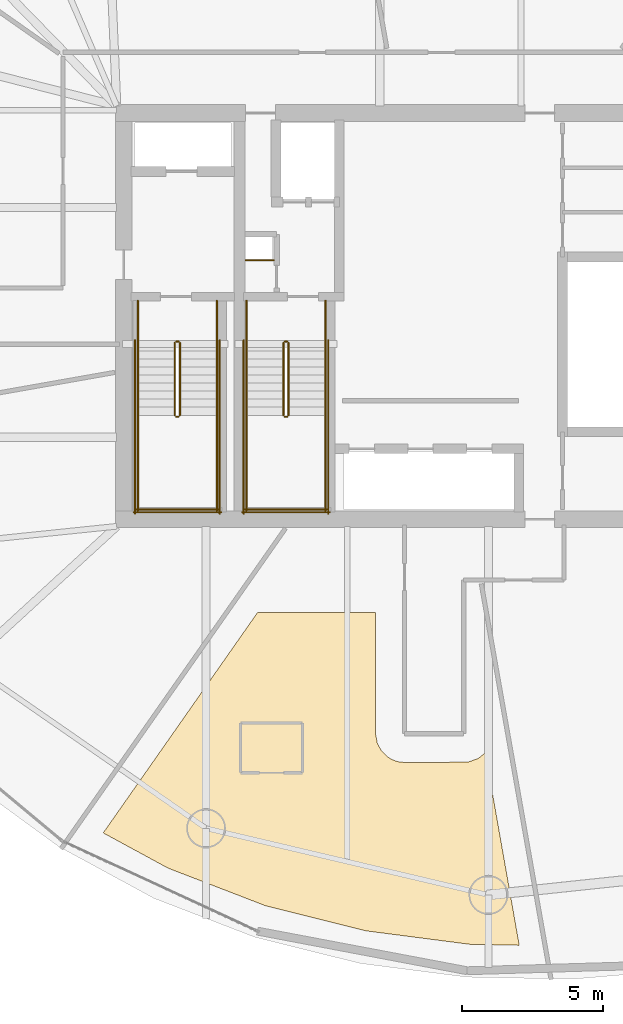
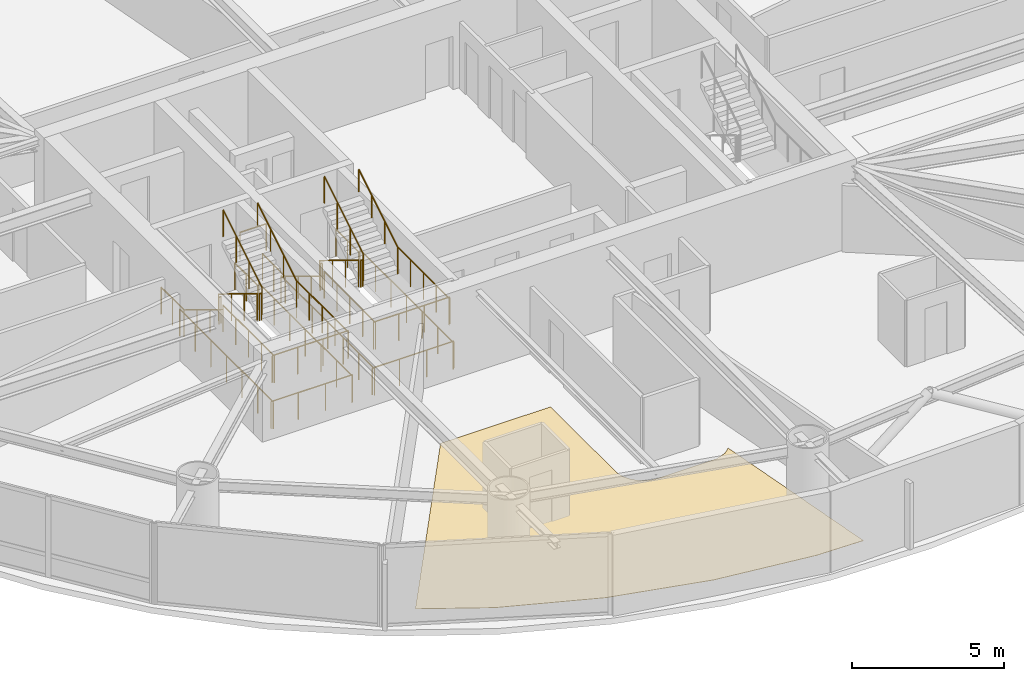
# One storey, part 21 of 23: 29 railings, 1 covering.
"""IFC4 building model written with IfcOpenShell, lengths in metres."""

from ifc_helpers import new_model, si_unit, direction, frame, origin, origin_2d, place, context, subcontext, project, spatial, polyline, circle, outline, extrude, material, layer, layer_set, type_object, element, save


model = new_model("IFC4")

# Units and contexts
model_context = context("Model", 3, precision=1e-05, world=origin(), true_north=direction((0.0, 1.0)))
body_context = subcontext(model_context, "Body", "Model", "MODEL_VIEW")
ifc_project = project(units=[si_unit("LENGTHUNIT", "METRE"), si_unit("AREAUNIT", "SQUARE_METRE"), si_unit("VOLUMEUNIT", "CUBIC_METRE"), si_unit("PLANEANGLEUNIT", "RADIAN"), si_unit("MASSUNIT", "GRAM", prefix="KILO")], contexts=[model_context])

# Site, building, storey
site_placement = place(None, origin())
site = spatial("IfcSite", under=ifc_project, at=site_placement, CompositionType="ELEMENT")
building_placement = place(site_placement, origin())
building = spatial("IfcBuilding", under=site, at=building_placement, Name="Bramvorn Convention Spire", CompositionType="ELEMENT")
storey_placement = place(building_placement, frame((0.0, 0.0, 158.800048828125)))
storey = spatial("IfcBuildingStorey", under=building, at=storey_placement, Name="L40", CompositionType="ELEMENT", Elevation=158.800048828125)

# Covering
ifc_material_1 = material(Name="Solution-Dyed Wool Broadloom Hospitality Carpet", Category="textile")
ifc_layer = layer(ifc_material_1, 0.014892578125)
ifc_layer_set = layer_set([ifc_layer], Name="Solution-Dyed Wool Broadloom Hospitality Carpet - FLR-CARPET-15")
covering_type = type_object("IfcCoveringType", Name="FLR-CARPET-15", PredefinedType="FLOORING", material=ifc_layer_set)
covering_placement = place(storey_placement, origin())
element("IfcCovering", 1, at=covering_placement, inside=storey, type_object=covering_type, Name="Hotel Suite 4006 wool broadloom carpet", PredefinedType="FLOORING", context=body_context, shape_type="SweptSolid", body=[
    extrude(outline(polyline([(39.24267578125, 3.73681640625), (41.018310546875, 3.69970703125), (39.814697265625, 10.525634765625), (39.5693359375, 10.322265625), (39.19384765625, 10.190185546875), (36.949951171875, 10.179931640625), (36.7080078125, 10.209228515625), (36.508544921875, 10.280517578125), (36.337646484375, 10.384521484375), (36.134521484375, 10.587646484375), (35.98779296875, 10.862060546875), (35.93115234375, 11.15576171875), (35.929931640625, 15.5), (31.74658203125, 15.5), (26.272216796875, 7.681884765625), (28.571044921875, 6.432861328125), (32.0205078125, 5.102294921875), (35.604248046875, 4.208251953125), (39.24267578125, 3.73681640625)])), origin(), (0.0, 0.0, 1.0), 0.014892578125),
])

# Railings
ifc_material_2 = material(Name="Painted Steel Balustrade & Guardrail", Category="steel")
railing_type_1 = type_object("IfcRailingType", Name="RL-STAIR-GUARD-1100", PredefinedType="GUARDRAIL", material=ifc_material_2)
railing_1_placement = place(storey_placement, frame((28.81005859375, 25.050048828125, 0.175048828125)))
element("IfcRailing", 2, at=railing_1_placement, inside=storey, type_object=railing_type_1, Name="L40 ST1 stair guard 1", PredefinedType="GUARDRAIL", context=body_context, shape_type="SweptSolid", body=[
    extrude(circle(Radius=0.02392578125, at=origin_2d()), frame((0.0, 0.0, 1.076171875), z_axis=(0.0, -0.852173129349, 0.523259933127), x_axis=(1.0, 0.0, 0.0)), (0.0, 0.0, 1.0), 3.009765625),
    extrude(circle(Radius=0.02099609375, at=origin_2d()), origin(), (0.0, 0.0, 1.0), 1.052001953125),
    extrude(circle(Radius=0.02099609375, at=origin_2d()), frame((0.0, -0.85498046875, 0.52490234375)), (0.0, 0.0, 1.0), 1.052001953125),
    extrude(circle(Radius=0.02099609375, at=origin_2d()), frame((0.0, -1.7099609375, 1.050048828125)), (0.0, 0.0, 1.0), 1.052001953125),
    extrude(circle(Radius=0.02099609375, at=origin_2d()), frame((0.0, -2.56494140625, 1.574951171875)), (0.0, 0.0, 1.0), 1.052001953125),
])
railing_2_placement = place(storey_placement, frame((28.860107421875, 22.43505859375, 1.75)))
element("IfcRailing", 3, at=railing_2_placement, inside=storey, type_object=railing_type_1, Name="L40 ST1 stair guard 2", PredefinedType="GUARDRAIL", context=body_context, shape_type="SweptSolid", body=[
    extrude(circle(Radius=0.02392578125, at=origin_2d()), frame((0.0, 0.0, 1.076171875), z_axis=(1.0, 0.0, 0.0), x_axis=(0.0, 1.0, 0.0)), (0.0, 0.0, 1.0), 0.079833984375),
    extrude(circle(Radius=0.02099609375, at=origin_2d()), origin(), (0.0, 0.0, 1.0), 1.052001953125),
    extrude(circle(Radius=0.02099609375, at=origin_2d()), frame((0.079833984375, 0.0, 0.0)), (0.0, 0.0, 1.0), 1.052001953125),
])
for number, where, name in (
    (4, (27.5, 22.485107421875, 1.75), "L40 ST1 stair guard 3"),
    (5, (30.300048828125, 22.485107421875, 1.75), "L40 ST1 stair guard 4"),
):
    element("IfcRailing", number, at=place(storey_placement, frame(where)), inside=storey, type_object=railing_type_1, Name=name, PredefinedType="GUARDRAIL", context=body_context, shape_type="SweptSolid", body=[
        extrude(circle(Radius=0.02392578125, at=origin_2d()), frame((0.0, 0.0, 1.076171875), z_axis=(0.0, -1.0, 0.0), x_axis=(1.0, 0.0, 0.0)), (0.0, 0.0, 1.0), 3.385009765625),
        extrude(circle(Radius=0.02099609375, at=origin_2d()), origin(), (0.0, 0.0, 1.0), 1.052001953125),
        extrude(circle(Radius=0.02099609375, at=origin_2d()), frame((0.0, -0.84619140625, 0.0)), (0.0, 0.0, 1.0), 1.052001953125),
        extrude(circle(Radius=0.02099609375, at=origin_2d()), frame((0.0, -1.6923828125, 0.0)), (0.0, 0.0, 1.0), 1.052001953125),
        extrude(circle(Radius=0.02099609375, at=origin_2d()), frame((0.0, -2.538818359375, 0.0)), (0.0, 0.0, 1.0), 1.052001953125),
        extrude(circle(Radius=0.02099609375, at=origin_2d()), frame((0.0, -3.385009765625, 0.0)), (0.0, 0.0, 1.0), 1.052001953125),
    ])
railing_3_placement = place(storey_placement, frame((27.449951171875, 19.14990234375, 1.75)))
element("IfcRailing", 6, at=railing_3_placement, inside=storey, type_object=railing_type_1, Name="L40 ST1 stair guard 5", PredefinedType="GUARDRAIL", context=body_context, shape_type="SweptSolid", body=[
    extrude(circle(Radius=0.02392578125, at=origin_2d()), frame((0.0, 0.0, 1.076171875), z_axis=(1.0, 0.0, 0.0), x_axis=(0.0, 1.0, 0.0)), (0.0, 0.0, 1.0), 2.900146484375),
    extrude(circle(Radius=0.02099609375, at=origin_2d()), origin(), (0.0, 0.0, 1.0), 1.052001953125),
    extrude(circle(Radius=0.02099609375, at=origin_2d()), frame((0.966796875, 0.0, 0.0)), (0.0, 0.0, 1.0), 1.052001953125),
    extrude(circle(Radius=0.02099609375, at=origin_2d()), frame((1.933349609375, 0.0, 0.0)), (0.0, 0.0, 1.0), 1.052001953125),
    extrude(circle(Radius=0.02099609375, at=origin_2d()), frame((2.900146484375, 0.0, 0.0)), (0.0, 0.0, 1.0), 1.052001953125),
])
railing_4_placement = place(storey_placement, frame((28.989990234375, 22.485107421875, 1.925048828125)))
element("IfcRailing", 7, at=railing_4_placement, inside=storey, type_object=railing_type_1, Name="L40 ST1 stair guard 6", PredefinedType="GUARDRAIL", context=body_context, shape_type="SweptSolid", body=[
    extrude(circle(Radius=0.02392578125, at=origin_2d()), frame((0.0, 0.0, 1.076171875), z_axis=(0.0, 0.852173129349, 0.523259933127), x_axis=(-1.0, 0.0, 0.0)), (0.0, 0.0, 1.0), 3.009765625),
    extrude(circle(Radius=0.02099609375, at=origin_2d()), origin(), (0.0, 0.0, 1.0), 1.052001953125),
    extrude(circle(Radius=0.02099609375, at=origin_2d()), frame((0.0, 0.85498046875, 0.52490234375)), (0.0, 0.0, 1.0), 1.052001953125),
    extrude(circle(Radius=0.02099609375, at=origin_2d()), frame((0.0, 1.7099609375, 1.050048828125)), (0.0, 0.0, 1.0), 1.052001953125),
    extrude(circle(Radius=0.02099609375, at=origin_2d()), frame((0.0, 2.56494140625, 1.574951171875)), (0.0, 0.0, 1.0), 1.052001953125),
])
railing_5_placement = place(storey_placement, frame((28.860107421875, 25.10009765625, 0.0)))
element("IfcRailing", 8, at=railing_5_placement, inside=storey, type_object=railing_type_1, Name="L40 ST1 stair guard 7", PredefinedType="GUARDRAIL", context=body_context, shape_type="SweptSolid", body=[
    extrude(circle(Radius=0.02392578125, at=origin_2d()), frame((0.0, 0.0, 1.076171875), z_axis=(1.0, 0.0, 0.0), x_axis=(0.0, 1.0, 0.0)), (0.0, 0.0, 1.0), 0.079833984375),
    extrude(circle(Radius=0.02099609375, at=origin_2d()), origin(), (0.0, 0.0, 1.0), 1.052001953125),
    extrude(circle(Radius=0.02099609375, at=origin_2d()), frame((0.079833984375, 0.0, 0.0)), (0.0, 0.0, 1.0), 1.052001953125),
])
for number, where, name in (
    (9, (27.5, 26.550048828125, 0.0), "L40 ST1 stair guard 8"),
    (10, (30.300048828125, 26.550048828125, 0.0), "L40 ST1 stair guard 9"),
):
    element("IfcRailing", number, at=place(storey_placement, frame(where)), inside=storey, type_object=railing_type_1, Name=name, PredefinedType="GUARDRAIL", context=body_context, shape_type="SweptSolid", body=[
        extrude(circle(Radius=0.02392578125, at=origin_2d()), frame((0.0, 0.0, 1.076171875), z_axis=(0.0, -1.0, 0.0), x_axis=(1.0, 0.0, 0.0)), (0.0, 0.0, 1.0), 1.5),
        extrude(circle(Radius=0.02099609375, at=origin_2d()), origin(), (0.0, 0.0, 1.0), 1.052001953125),
        extrude(circle(Radius=0.02099609375, at=origin_2d()), frame((0.0, -0.75, 0.0)), (0.0, 0.0, 1.0), 1.052001953125),
        extrude(circle(Radius=0.02099609375, at=origin_2d()), frame((0.0, -1.5, 0.0)), (0.0, 0.0, 1.0), 1.052001953125),
    ])
for number, where, name in (
    (11, (27.39990234375, 25.14990234375, 0.0), "L40 ST1 stair guard 10"),
    (12, (30.39990234375, 25.14990234375, 0.0), "L40 ST1 stair guard 11"),
):
    element("IfcRailing", number, at=place(storey_placement, frame(where)), inside=storey, type_object=railing_type_1, Name=name, PredefinedType="GUARDRAIL", context=body_context, shape_type="SweptSolid", body=[
        extrude(circle(Radius=0.02392578125, at=origin_2d()), frame((0.0, 0.0, 1.076171875), z_axis=(0.0, -1.0, 0.0), x_axis=(1.0, 0.0, 0.0)), (0.0, 0.0, 1.0), 6.14990234375),
        extrude(circle(Radius=0.02099609375, at=origin_2d()), origin(), (0.0, 0.0, 1.0), 1.052001953125),
        extrude(circle(Radius=0.02099609375, at=origin_2d()), frame((0.0, -1.02490234375, 0.0)), (0.0, 0.0, 1.0), 1.052001953125),
        extrude(circle(Radius=0.02099609375, at=origin_2d()), frame((0.0, -2.050048828125, 0.0)), (0.0, 0.0, 1.0), 1.052001953125),
        extrude(circle(Radius=0.02099609375, at=origin_2d()), frame((0.0, -3.074951171875, 0.0)), (0.0, 0.0, 1.0), 1.052001953125),
        extrude(circle(Radius=0.02099609375, at=origin_2d()), frame((0.0, -4.099853515625, 0.0)), (0.0, 0.0, 1.0), 1.052001953125),
        extrude(circle(Radius=0.02099609375, at=origin_2d()), frame((0.0, -5.125, 0.0)), (0.0, 0.0, 1.0), 1.052001953125),
        extrude(circle(Radius=0.02099609375, at=origin_2d()), frame((0.0, -6.14990234375, 0.0)), (0.0, 0.0, 1.0), 1.052001953125),
    ])
railing_6_placement = place(storey_placement, frame((27.35009765625, 19.050048828125, 0.0)))
element("IfcRailing", 13, at=railing_6_placement, inside=storey, type_object=railing_type_1, Name="L40 ST1 stair guard 12", PredefinedType="GUARDRAIL", context=body_context, shape_type="SweptSolid", body=[
    extrude(circle(Radius=0.02392578125, at=origin_2d()), frame((0.0, 0.0, 1.076171875), z_axis=(1.0, 0.0, 0.0), x_axis=(0.0, 1.0, 0.0)), (0.0, 0.0, 1.0), 3.099853515625),
    extrude(circle(Radius=0.02099609375, at=origin_2d()), origin(), (0.0, 0.0, 1.0), 1.052001953125),
    extrude(circle(Radius=0.02099609375, at=origin_2d()), frame((1.033203125, 0.0, 0.0)), (0.0, 0.0, 1.0), 1.052001953125),
    extrude(circle(Radius=0.02099609375, at=origin_2d()), frame((2.066650390625, 0.0, 0.0)), (0.0, 0.0, 1.0), 1.052001953125),
    extrude(circle(Radius=0.02099609375, at=origin_2d()), frame((3.099853515625, 0.0, 0.0)), (0.0, 0.0, 1.0), 1.052001953125),
])
railing_7_placement = place(storey_placement, frame((32.659912109375, 25.050048828125, 0.175048828125)))
element("IfcRailing", 14, at=railing_7_placement, inside=storey, type_object=railing_type_1, Name="L40 ST3 stair guard 1", PredefinedType="GUARDRAIL", context=body_context, shape_type="SweptSolid", body=[
    extrude(circle(Radius=0.02392578125, at=origin_2d()), frame((0.0, 0.0, 1.076171875), z_axis=(0.0, -0.852173129349, 0.523259933127), x_axis=(1.0, 0.0, 0.0)), (0.0, 0.0, 1.0), 3.009765625),
    extrude(circle(Radius=0.02099609375, at=origin_2d()), origin(), (0.0, 0.0, 1.0), 1.052001953125),
    extrude(circle(Radius=0.02099609375, at=origin_2d()), frame((0.0, -0.85498046875, 0.52490234375)), (0.0, 0.0, 1.0), 1.052001953125),
    extrude(circle(Radius=0.02099609375, at=origin_2d()), frame((0.0, -1.7099609375, 1.050048828125)), (0.0, 0.0, 1.0), 1.052001953125),
    extrude(circle(Radius=0.02099609375, at=origin_2d()), frame((0.0, -2.56494140625, 1.574951171875)), (0.0, 0.0, 1.0), 1.052001953125),
])
railing_8_placement = place(storey_placement, frame((32.7099609375, 22.43505859375, 1.75)))
element("IfcRailing", 15, at=railing_8_placement, inside=storey, type_object=railing_type_1, Name="L40 ST3 stair guard 2", PredefinedType="GUARDRAIL", context=body_context, shape_type="SweptSolid", body=[
    extrude(circle(Radius=0.02392578125, at=origin_2d()), frame((0.0, 0.0, 1.076171875), z_axis=(1.0, 0.0, 0.0), x_axis=(0.0, 1.0, 0.0)), (0.0, 0.0, 1.0), 0.080078125),
    extrude(circle(Radius=0.02099609375, at=origin_2d()), origin(), (0.0, 0.0, 1.0), 1.052001953125),
    extrude(circle(Radius=0.02099609375, at=origin_2d()), frame((0.080078125, 0.0, 0.0)), (0.0, 0.0, 1.0), 1.052001953125),
])
for number, where, name in (
    (16, (31.35009765625, 22.485107421875, 1.75), "L40 ST3 stair guard 3"),
    (17, (34.14990234375, 22.485107421875, 1.75), "L40 ST3 stair guard 4"),
):
    element("IfcRailing", number, at=place(storey_placement, frame(where)), inside=storey, type_object=railing_type_1, Name=name, PredefinedType="GUARDRAIL", context=body_context, shape_type="SweptSolid", body=[
        extrude(circle(Radius=0.02392578125, at=origin_2d()), frame((0.0, 0.0, 1.076171875), z_axis=(0.0, -1.0, 0.0), x_axis=(1.0, 0.0, 0.0)), (0.0, 0.0, 1.0), 3.385009765625),
        extrude(circle(Radius=0.02099609375, at=origin_2d()), origin(), (0.0, 0.0, 1.0), 1.052001953125),
        extrude(circle(Radius=0.02099609375, at=origin_2d()), frame((0.0, -0.84619140625, 0.0)), (0.0, 0.0, 1.0), 1.052001953125),
        extrude(circle(Radius=0.02099609375, at=origin_2d()), frame((0.0, -1.6923828125, 0.0)), (0.0, 0.0, 1.0), 1.052001953125),
        extrude(circle(Radius=0.02099609375, at=origin_2d()), frame((0.0, -2.538818359375, 0.0)), (0.0, 0.0, 1.0), 1.052001953125),
        extrude(circle(Radius=0.02099609375, at=origin_2d()), frame((0.0, -3.385009765625, 0.0)), (0.0, 0.0, 1.0), 1.052001953125),
    ])
railing_9_placement = place(storey_placement, frame((31.300048828125, 19.14990234375, 1.75)))
element("IfcRailing", 18, at=railing_9_placement, inside=storey, type_object=railing_type_1, Name="L40 ST3 stair guard 5", PredefinedType="GUARDRAIL", context=body_context, shape_type="SweptSolid", body=[
    extrude(circle(Radius=0.02392578125, at=origin_2d()), frame((0.0, 0.0, 1.076171875), z_axis=(1.0, 0.0, 0.0), x_axis=(0.0, 1.0, 0.0)), (0.0, 0.0, 1.0), 2.89990234375),
    extrude(circle(Radius=0.02099609375, at=origin_2d()), origin(), (0.0, 0.0, 1.0), 1.052001953125),
    extrude(circle(Radius=0.02099609375, at=origin_2d()), frame((0.966552734375, 0.0, 0.0)), (0.0, 0.0, 1.0), 1.052001953125),
    extrude(circle(Radius=0.02099609375, at=origin_2d()), frame((1.933349609375, 0.0, 0.0)), (0.0, 0.0, 1.0), 1.052001953125),
    extrude(circle(Radius=0.02099609375, at=origin_2d()), frame((2.89990234375, 0.0, 0.0)), (0.0, 0.0, 1.0), 1.052001953125),
])
railing_10_placement = place(storey_placement, frame((32.840087890625, 22.485107421875, 1.925048828125)))
element("IfcRailing", 19, at=railing_10_placement, inside=storey, type_object=railing_type_1, Name="L40 ST3 stair guard 6", PredefinedType="GUARDRAIL", context=body_context, shape_type="SweptSolid", body=[
    extrude(circle(Radius=0.02392578125, at=origin_2d()), frame((0.0, 0.0, 1.076171875), z_axis=(0.0, 0.852173129349, 0.523259933127), x_axis=(-1.0, 0.0, 0.0)), (0.0, 0.0, 1.0), 3.009765625),
    extrude(circle(Radius=0.02099609375, at=origin_2d()), origin(), (0.0, 0.0, 1.0), 1.052001953125),
    extrude(circle(Radius=0.02099609375, at=origin_2d()), frame((0.0, 0.85498046875, 0.52490234375)), (0.0, 0.0, 1.0), 1.052001953125),
    extrude(circle(Radius=0.02099609375, at=origin_2d()), frame((0.0, 1.7099609375, 1.050048828125)), (0.0, 0.0, 1.0), 1.052001953125),
    extrude(circle(Radius=0.02099609375, at=origin_2d()), frame((0.0, 2.56494140625, 1.574951171875)), (0.0, 0.0, 1.0), 1.052001953125),
])
railing_11_placement = place(storey_placement, frame((32.7099609375, 25.10009765625, 0.0)))
element("IfcRailing", 20, at=railing_11_placement, inside=storey, type_object=railing_type_1, Name="L40 ST3 stair guard 7", PredefinedType="GUARDRAIL", context=body_context, shape_type="SweptSolid", body=[
    extrude(circle(Radius=0.02392578125, at=origin_2d()), frame((0.0, 0.0, 1.076171875), z_axis=(1.0, 0.0, 0.0), x_axis=(0.0, 1.0, 0.0)), (0.0, 0.0, 1.0), 0.080078125),
    extrude(circle(Radius=0.02099609375, at=origin_2d()), origin(), (0.0, 0.0, 1.0), 1.052001953125),
    extrude(circle(Radius=0.02099609375, at=origin_2d()), frame((0.080078125, 0.0, 0.0)), (0.0, 0.0, 1.0), 1.052001953125),
])
for number, where, name in (
    (21, (31.35009765625, 26.550048828125, 0.0), "L40 ST3 stair guard 8"),
    (22, (34.14990234375, 26.550048828125, 0.0), "L40 ST3 stair guard 9"),
):
    element("IfcRailing", number, at=place(storey_placement, frame(where)), inside=storey, type_object=railing_type_1, Name=name, PredefinedType="GUARDRAIL", context=body_context, shape_type="SweptSolid", body=[
        extrude(circle(Radius=0.02392578125, at=origin_2d()), frame((0.0, 0.0, 1.076171875), z_axis=(0.0, -1.0, 0.0), x_axis=(1.0, 0.0, 0.0)), (0.0, 0.0, 1.0), 1.5),
        extrude(circle(Radius=0.02099609375, at=origin_2d()), origin(), (0.0, 0.0, 1.0), 1.052001953125),
        extrude(circle(Radius=0.02099609375, at=origin_2d()), frame((0.0, -0.75, 0.0)), (0.0, 0.0, 1.0), 1.052001953125),
        extrude(circle(Radius=0.02099609375, at=origin_2d()), frame((0.0, -1.5, 0.0)), (0.0, 0.0, 1.0), 1.052001953125),
    ])
for number, where, name in (
    (23, (31.25, 25.14990234375, 0.0), "L40 ST3 stair guard 10"),
    (24, (34.25, 25.14990234375, 0.0), "L40 ST3 stair guard 11"),
):
    element("IfcRailing", number, at=place(storey_placement, frame(where)), inside=storey, type_object=railing_type_1, Name=name, PredefinedType="GUARDRAIL", context=body_context, shape_type="SweptSolid", body=[
        extrude(circle(Radius=0.02392578125, at=origin_2d()), frame((0.0, 0.0, 1.076171875), z_axis=(0.0, -1.0, 0.0), x_axis=(1.0, 0.0, 0.0)), (0.0, 0.0, 1.0), 6.14990234375),
        extrude(circle(Radius=0.02099609375, at=origin_2d()), origin(), (0.0, 0.0, 1.0), 1.052001953125),
        extrude(circle(Radius=0.02099609375, at=origin_2d()), frame((0.0, -1.02490234375, 0.0)), (0.0, 0.0, 1.0), 1.052001953125),
        extrude(circle(Radius=0.02099609375, at=origin_2d()), frame((0.0, -2.050048828125, 0.0)), (0.0, 0.0, 1.0), 1.052001953125),
        extrude(circle(Radius=0.02099609375, at=origin_2d()), frame((0.0, -3.074951171875, 0.0)), (0.0, 0.0, 1.0), 1.052001953125),
        extrude(circle(Radius=0.02099609375, at=origin_2d()), frame((0.0, -4.099853515625, 0.0)), (0.0, 0.0, 1.0), 1.052001953125),
        extrude(circle(Radius=0.02099609375, at=origin_2d()), frame((0.0, -5.125, 0.0)), (0.0, 0.0, 1.0), 1.052001953125),
        extrude(circle(Radius=0.02099609375, at=origin_2d()), frame((0.0, -6.14990234375, 0.0)), (0.0, 0.0, 1.0), 1.052001953125),
    ])
railing_12_placement = place(storey_placement, frame((31.199951171875, 19.050048828125, 0.0)))
element("IfcRailing", 25, at=railing_12_placement, inside=storey, type_object=railing_type_1, Name="L40 ST3 stair guard 12", PredefinedType="GUARDRAIL", context=body_context, shape_type="SweptSolid", body=[
    extrude(circle(Radius=0.02392578125, at=origin_2d()), frame((0.0, 0.0, 1.076171875), z_axis=(1.0, 0.0, 0.0), x_axis=(0.0, 1.0, 0.0)), (0.0, 0.0, 1.0), 3.10009765625),
    extrude(circle(Radius=0.02099609375, at=origin_2d()), origin(), (0.0, 0.0, 1.0), 1.052001953125),
    extrude(circle(Radius=0.02099609375, at=origin_2d()), frame((1.033447265625, 0.0, 0.0)), (0.0, 0.0, 1.0), 1.052001953125),
    extrude(circle(Radius=0.02099609375, at=origin_2d()), frame((2.066650390625, 0.0, 0.0)), (0.0, 0.0, 1.0), 1.052001953125),
    extrude(circle(Radius=0.02099609375, at=origin_2d()), frame((3.10009765625, 0.0, 0.0)), (0.0, 0.0, 1.0), 1.052001953125),
])
railing_13_placement = place(storey_placement, frame((31.320068359375, 27.97998046875, 0.0)))
element("IfcRailing", 26, at=railing_13_placement, inside=storey, type_object=railing_type_1, Name="L40 Telecom riser shaft opening safety guardrail", PredefinedType="GUARDRAIL", context=body_context, shape_type="SweptSolid", body=[
    extrude(circle(Radius=0.02392578125, at=origin_2d()), frame((0.0, 0.0, 1.076171875), z_axis=(1.0, 0.0, 0.0), x_axis=(0.0, 1.0, 0.0)), (0.0, 0.0, 1.0), 1.0),
    extrude(circle(Radius=0.02099609375, at=origin_2d()), origin(), (0.0, 0.0, 1.0), 1.052001953125),
    extrude(circle(Radius=0.02099609375, at=origin_2d()), frame((1.0, 0.0, 0.0)), (0.0, 0.0, 1.0), 1.052001953125),
])
ifc_material_3 = material(Name="Brushed Bronze Tubular Handrail", Category="aluminium")
railing_type_2 = type_object("IfcRailingType", Name="RL-STAIR-HR-920", PredefinedType="HANDRAIL", material=ifc_material_3)
railing_14_placement = place(storey_placement, frame((27.5, 25.050048828125, 0.175048828125)))
element("IfcRailing", 27, at=railing_14_placement, inside=storey, type_object=railing_type_2, Name="L40 ST1 stair handrail 1", PredefinedType="HANDRAIL", context=body_context, shape_type="SweptSolid", body=[
    extrude(circle(Radius=0.02392578125, at=origin_2d()), frame((0.0, 0.0, 0.89599609375), z_axis=(0.0, -0.852173129349, 0.523259933127), x_axis=(1.0, 0.0, 0.0)), (0.0, 0.0, 1.0), 3.009765625),
    extrude(circle(Radius=0.02099609375, at=origin_2d()), origin(), (0.0, 0.0, 1.0), 0.871826171875),
    extrude(circle(Radius=0.02099609375, at=origin_2d()), frame((0.0, -0.85498046875, 0.52490234375)), (0.0, 0.0, 1.0), 0.871826171875),
    extrude(circle(Radius=0.02099609375, at=origin_2d()), frame((0.0, -1.7099609375, 1.050048828125)), (0.0, 0.0, 1.0), 0.871826171875),
    extrude(circle(Radius=0.02099609375, at=origin_2d()), frame((0.0, -2.56494140625, 1.574951171875)), (0.0, 0.0, 1.0), 0.871826171875),
])
railing_15_placement = place(storey_placement, frame((30.300048828125, 22.485107421875, 1.925048828125)))
element("IfcRailing", 28, at=railing_15_placement, inside=storey, type_object=railing_type_2, Name="L40 ST1 stair handrail 2", PredefinedType="HANDRAIL", context=body_context, shape_type="SweptSolid", body=[
    extrude(circle(Radius=0.02392578125, at=origin_2d()), frame((0.0, 0.0, 0.89599609375), z_axis=(0.0, 0.852173129349, 0.523259933127), x_axis=(-1.0, 0.0, 0.0)), (0.0, 0.0, 1.0), 3.009765625),
    extrude(circle(Radius=0.02099609375, at=origin_2d()), origin(), (0.0, 0.0, 1.0), 0.871826171875),
    extrude(circle(Radius=0.02099609375, at=origin_2d()), frame((0.0, 0.85498046875, 0.52490234375)), (0.0, 0.0, 1.0), 0.871826171875),
    extrude(circle(Radius=0.02099609375, at=origin_2d()), frame((0.0, 1.7099609375, 1.050048828125)), (0.0, 0.0, 1.0), 0.871826171875),
    extrude(circle(Radius=0.02099609375, at=origin_2d()), frame((0.0, 2.56494140625, 1.574951171875)), (0.0, 0.0, 1.0), 0.871826171875),
])
railing_16_placement = place(storey_placement, frame((31.35009765625, 25.050048828125, 0.175048828125)))
element("IfcRailing", 29, at=railing_16_placement, inside=storey, type_object=railing_type_2, Name="L40 ST3 stair handrail 1", PredefinedType="HANDRAIL", context=body_context, shape_type="SweptSolid", body=[
    extrude(circle(Radius=0.02392578125, at=origin_2d()), frame((0.0, 0.0, 0.89599609375), z_axis=(0.0, -0.852173129349, 0.523259933127), x_axis=(1.0, 0.0, 0.0)), (0.0, 0.0, 1.0), 3.009765625),
    extrude(circle(Radius=0.02099609375, at=origin_2d()), origin(), (0.0, 0.0, 1.0), 0.871826171875),
    extrude(circle(Radius=0.02099609375, at=origin_2d()), frame((0.0, -0.85498046875, 0.52490234375)), (0.0, 0.0, 1.0), 0.871826171875),
    extrude(circle(Radius=0.02099609375, at=origin_2d()), frame((0.0, -1.7099609375, 1.050048828125)), (0.0, 0.0, 1.0), 0.871826171875),
    extrude(circle(Radius=0.02099609375, at=origin_2d()), frame((0.0, -2.56494140625, 1.574951171875)), (0.0, 0.0, 1.0), 0.871826171875),
])
railing_17_placement = place(storey_placement, frame((34.14990234375, 22.485107421875, 1.925048828125)))
element("IfcRailing", 30, at=railing_17_placement, inside=storey, type_object=railing_type_2, Name="L40 ST3 stair handrail 2", PredefinedType="HANDRAIL", context=body_context, shape_type="SweptSolid", body=[
    extrude(circle(Radius=0.02392578125, at=origin_2d()), frame((0.0, 0.0, 0.89599609375), z_axis=(0.0, 0.852173129349, 0.523259933127), x_axis=(-1.0, 0.0, 0.0)), (0.0, 0.0, 1.0), 3.009765625),
    extrude(circle(Radius=0.02099609375, at=origin_2d()), origin(), (0.0, 0.0, 1.0), 0.871826171875),
    extrude(circle(Radius=0.02099609375, at=origin_2d()), frame((0.0, 0.85498046875, 0.52490234375)), (0.0, 0.0, 1.0), 0.871826171875),
    extrude(circle(Radius=0.02099609375, at=origin_2d()), frame((0.0, 1.7099609375, 1.050048828125)), (0.0, 0.0, 1.0), 0.871826171875),
    extrude(circle(Radius=0.02099609375, at=origin_2d()), frame((0.0, 2.56494140625, 1.574951171875)), (0.0, 0.0, 1.0), 0.871826171875),
])

save(model, "model.ifc")
